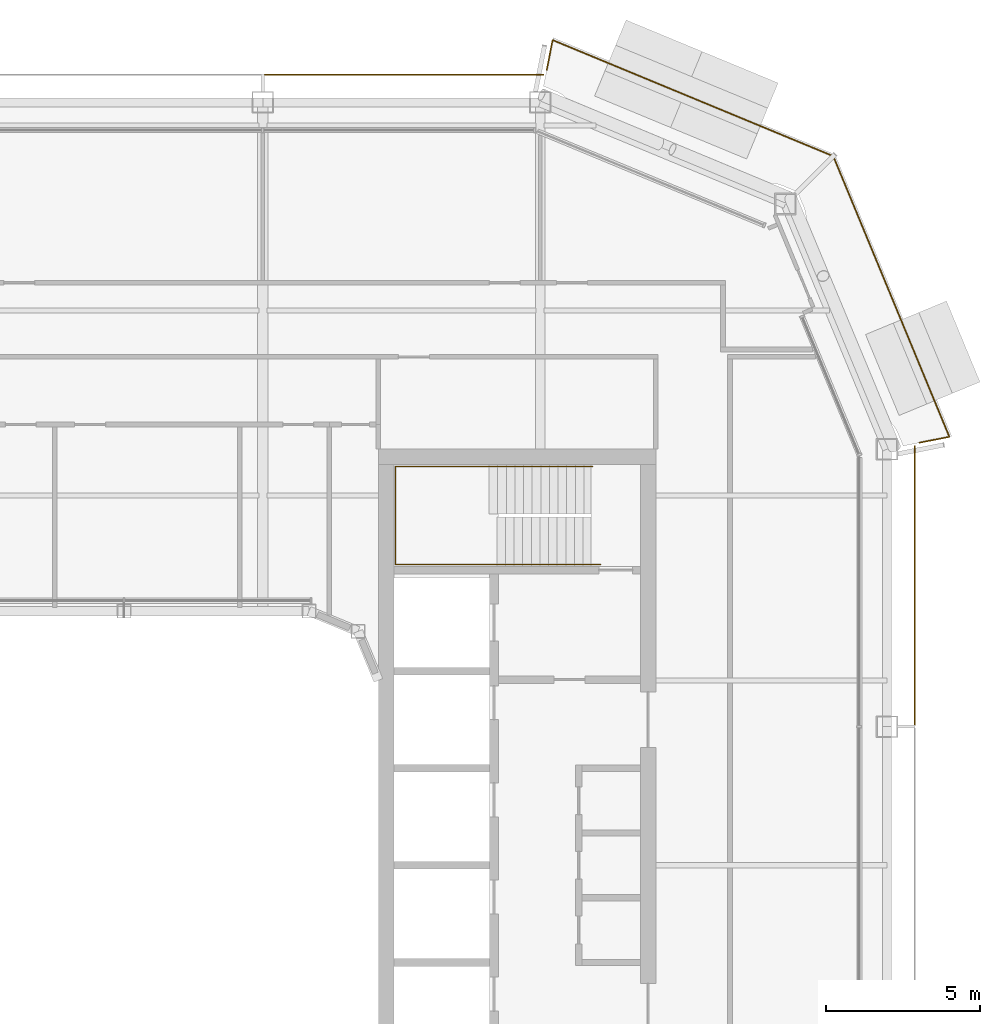
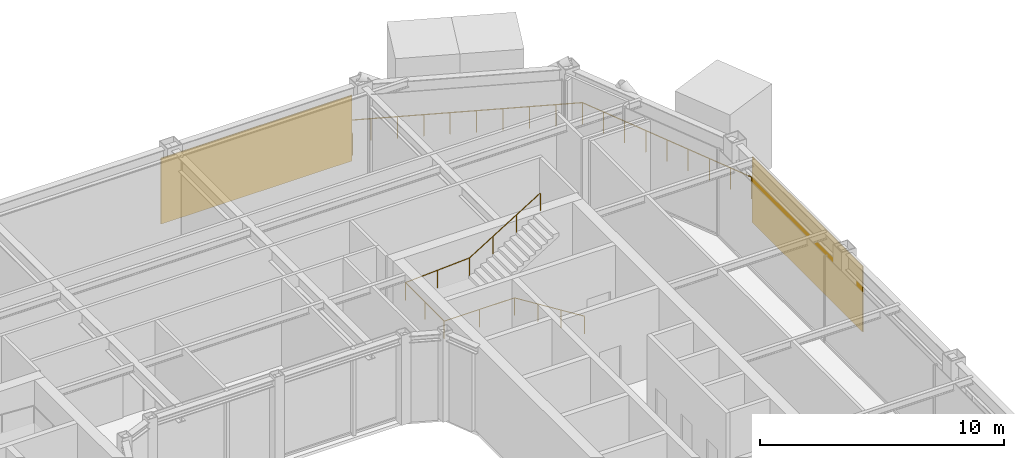
# One storey, part 20 of 21: 2 coverings, 2 railings.
"""IFC4 building model written with IfcOpenShell, lengths in metres."""

from ifc_helpers import new_model, si_unit, direction, frame, origin, origin_2d, place, context, subcontext, project, spatial, rectangle, circle, extrude, material, layer, layer_set, type_object, element, save


model = new_model("IFC4")

# Units and contexts
model_context = context("Model", 3, precision=1e-05, world=origin(), true_north=direction((0.0, 1.0)))
body_context = subcontext(model_context, "Body", "Model", "MODEL_VIEW")
ifc_project = project(units=[si_unit("LENGTHUNIT", "METRE"), si_unit("AREAUNIT", "SQUARE_METRE"), si_unit("VOLUMEUNIT", "CUBIC_METRE"), si_unit("PLANEANGLEUNIT", "RADIAN"), si_unit("MASSUNIT", "GRAM", prefix="KILO")], contexts=[model_context])

# Site, building, storey
site_placement = place(None, origin())
site = spatial("IfcSite", under=ifc_project, at=site_placement, CompositionType="ELEMENT")
building_placement = place(site_placement, origin())
building = spatial("IfcBuilding", under=site, at=building_placement, Name="Siwar Civic Tower", CompositionType="ELEMENT")
storey_placement = place(building_placement, frame((0.0, 0.0, 325.699951171875)))
storey = spatial("IfcBuildingStorey", under=building, at=storey_placement, Name="L70", CompositionType="ELEMENT", Elevation=325.699951171875)

# Railings
ifc_material_1 = material(Name="Stainless steel", Category="steel")
railing_type_1 = type_object("IfcRailingType", Name="CORE-STAIR-HANDRAIL", PredefinedType="HANDRAIL", material=ifc_material_1)
railing_1_placement = place(storey_placement, frame((15.449951171875, 9.758056640625, 0.173095703125)))
element("IfcRailing", 1, at=railing_1_placement, inside=storey, type_object=railing_type_1, Name="Stair handrail ST3", PredefinedType="HANDRAIL", context=body_context, shape_type="SweptSolid", body=[
    extrude(circle(Radius=0.02001953125, at=origin_2d()), frame((0.0, 0.0, 0.8798828125), z_axis=(-0.847063342986, 0.0, 0.531491950051), x_axis=(0.0, -1.0, 0.0)), (0.0, 0.0, 1.0), 3.90771484375),
    extrude(circle(Radius=0.02001953125, at=origin_2d()), frame((-3.31005859375, 0.0, 2.956787109375), z_axis=(-1.0, 0.0, 0.0), x_axis=(0.0, -1.0, 0.0)), (0.0, 0.0, 1.0), 3.331787109375),
    extrude(circle(Radius=0.02001953125, at=origin_2d()), frame((-6.641845703125, 0.0, 2.956787109375), z_axis=(0.0, 1.0, 0.0), x_axis=(-1.0, 0.0, 0.0)), (0.0, 0.0, 1.0), 3.183837890625),
    extrude(circle(Radius=0.02001953125, at=origin_2d()), frame((-6.641845703125, 3.183837890625, 2.956787109375), z_axis=(0.99837434197, 0.0, 0.056997134106), x_axis=(0.0, 1.0, 0.0)), (0.0, 0.0, 1.0), 3.036865234375),
    extrude(circle(Radius=0.02001953125, at=origin_2d()), frame((-3.60986328125, 3.183837890625, 3.1298828125), z_axis=(0.850606129759, 0.0, 0.525803396734), x_axis=(0.0, 1.0, 0.0)), (0.0, 0.0, 1.0), 3.949951171875),
    extrude(circle(Radius=0.02001953125, at=origin_2d()), origin(), (0.0, 0.0, 1.0), 0.85986328125),
    extrude(circle(Radius=0.02001953125, at=origin_2d()), frame((-1.103271484375, 0.0, 0.6923828125)), (0.0, 0.0, 1.0), 0.85986328125),
    extrude(circle(Radius=0.02001953125, at=origin_2d()), frame((-2.206787109375, 0.0, 1.384521484375)), (0.0, 0.0, 1.0), 0.85986328125),
    extrude(circle(Radius=0.02001953125, at=origin_2d()), frame((-3.31005859375, 0.0, 2.076904296875)), (0.0, 0.0, 1.0), 0.85986328125),
    extrude(circle(Radius=0.02001953125, at=origin_2d()), frame((-4.97607421875, 0.0, 2.076904296875)), (0.0, 0.0, 1.0), 0.85986328125),
    extrude(circle(Radius=0.02001953125, at=origin_2d()), frame((-6.641845703125, 0.0, 2.076904296875)), (0.0, 0.0, 1.0), 0.85986328125),
    extrude(circle(Radius=0.02001953125, at=origin_2d()), frame((-6.641845703125, 1.591796875, 2.076904296875)), (0.0, 0.0, 1.0), 0.85986328125),
    extrude(circle(Radius=0.02001953125, at=origin_2d()), frame((-6.641845703125, 3.183837890625, 2.076904296875)), (0.0, 0.0, 1.0), 0.85986328125),
    extrude(circle(Radius=0.02001953125, at=origin_2d()), frame((-5.1259765625, 3.183837890625, 2.16357421875)), (0.0, 0.0, 1.0), 0.85986328125),
    extrude(circle(Radius=0.02001953125, at=origin_2d()), frame((-3.60986328125, 3.183837890625, 2.25)), (0.0, 0.0, 1.0), 0.85986328125),
    extrude(circle(Radius=0.02001953125, at=origin_2d()), frame((-2.489990234375, 3.183837890625, 2.9423828125)), (0.0, 0.0, 1.0), 0.85986328125),
    extrude(circle(Radius=0.02001953125, at=origin_2d()), frame((-1.369873046875, 3.183837890625, 3.634521484375)), (0.0, 0.0, 1.0), 0.85986328125),
    extrude(circle(Radius=0.02001953125, at=origin_2d()), frame((-0.25, 3.183837890625, 4.326904296875)), (0.0, 0.0, 1.0), 0.85986328125),
])
ifc_material_2 = material(Name="Stainless steel 316", Category="steel")
railing_type_2 = type_object("IfcRailingType", Name="ENV-GUARD", PredefinedType="GUARDRAIL", material=ifc_material_2)
railing_2_placement = place(storey_placement, frame((25.797119140625, 13.708251953125, 0.0)))
element("IfcRailing", 2, at=railing_2_placement, inside=storey, type_object=railing_type_2, Name="Balcony guard NE", PredefinedType="GUARDRAIL", context=body_context, shape_type="SweptSolid", body=[
    extrude(circle(Radius=0.02392578125, at=origin_2d()), frame((0.0, 0.0, 1.076171875), z_axis=(0.980778661911, 0.195123592472, 0.0), x_axis=(-0.195123592472, 0.980778661911, 0.0)), (0.0, 0.0, 1.0), 0.993408203125),
    extrude(circle(Radius=0.02392578125, at=origin_2d()), frame((0.974365234375, 0.19384765625, 1.076171875), z_axis=(-0.38225621169, 0.924056377406, 0.0), x_axis=(-0.924056377406, -0.38225621169, 0.0)), (0.0, 0.0, 1.0), 9.851806640625),
    extrude(circle(Radius=0.02392578125, at=origin_2d()), frame((-2.79150390625, 9.29736328125, 1.076171875), z_axis=(-0.924056377406, 0.38225621169, 0.0), x_axis=(-0.38225621169, -0.924056377406, 0.0)), (0.0, 0.0, 1.0), 9.851806640625),
    extrude(circle(Radius=0.02392578125, at=origin_2d()), frame((-11.89501953125, 13.063232421875, 1.076171875), z_axis=(-0.195123592472, -0.980778661911, 0.0), x_axis=(0.980778661911, -0.195123592472, 0.0)), (0.0, 0.0, 1.0), 0.993408203125),
    extrude(circle(Radius=0.02099609375, at=origin_2d()), origin(), (0.0, 0.0, 1.0), 1.052001953125),
    extrude(circle(Radius=0.02099609375, at=origin_2d()), frame((0.974365234375, 0.19384765625, 0.0)), (0.0, 0.0, 1.0), 1.052001953125),
    extrude(circle(Radius=0.02099609375, at=origin_2d()), frame((0.555908203125, 1.205322265625, 0.0)), (0.0, 0.0, 1.0), 1.052001953125),
    extrude(circle(Radius=0.02099609375, at=origin_2d()), frame((0.137451171875, 2.216796875, 0.0)), (0.0, 0.0, 1.0), 1.052001953125),
    extrude(circle(Radius=0.02099609375, at=origin_2d()), frame((-0.281005859375, 3.228271484375, 0.0)), (0.0, 0.0, 1.0), 1.052001953125),
    extrude(circle(Radius=0.02099609375, at=origin_2d()), frame((-0.699462890625, 4.23974609375, 0.0)), (0.0, 0.0, 1.0), 1.052001953125),
    extrude(circle(Radius=0.02099609375, at=origin_2d()), frame((-1.11767578125, 5.25146484375, 0.0)), (0.0, 0.0, 1.0), 1.052001953125),
    extrude(circle(Radius=0.02099609375, at=origin_2d()), frame((-1.5361328125, 6.262939453125, 0.0)), (0.0, 0.0, 1.0), 1.052001953125),
    extrude(circle(Radius=0.02099609375, at=origin_2d()), frame((-1.95458984375, 7.2744140625, 0.0)), (0.0, 0.0, 1.0), 1.052001953125),
    extrude(circle(Radius=0.02099609375, at=origin_2d()), frame((-2.373046875, 8.285888671875, 0.0)), (0.0, 0.0, 1.0), 1.052001953125),
    extrude(circle(Radius=0.02099609375, at=origin_2d()), frame((-2.79150390625, 9.29736328125, 0.0)), (0.0, 0.0, 1.0), 1.052001953125),
    extrude(circle(Radius=0.02099609375, at=origin_2d()), frame((-3.802978515625, 9.7158203125, 0.0)), (0.0, 0.0, 1.0), 1.052001953125),
    extrude(circle(Radius=0.02099609375, at=origin_2d()), frame((-4.814453125, 10.13427734375, 0.0)), (0.0, 0.0, 1.0), 1.052001953125),
    extrude(circle(Radius=0.02099609375, at=origin_2d()), frame((-5.825927734375, 10.552734375, 0.0)), (0.0, 0.0, 1.0), 1.052001953125),
    extrude(circle(Radius=0.02099609375, at=origin_2d()), frame((-6.83740234375, 10.97119140625, 0.0)), (0.0, 0.0, 1.0), 1.052001953125),
    extrude(circle(Radius=0.02099609375, at=origin_2d()), frame((-7.84912109375, 11.389404296875, 0.0)), (0.0, 0.0, 1.0), 1.052001953125),
    extrude(circle(Radius=0.02099609375, at=origin_2d()), frame((-8.860595703125, 11.807861328125, 0.0)), (0.0, 0.0, 1.0), 1.052001953125),
    extrude(circle(Radius=0.02099609375, at=origin_2d()), frame((-9.8720703125, 12.226318359375, 0.0)), (0.0, 0.0, 1.0), 1.052001953125),
    extrude(circle(Radius=0.02099609375, at=origin_2d()), frame((-10.883544921875, 12.644775390625, 0.0)), (0.0, 0.0, 1.0), 1.052001953125),
    extrude(circle(Radius=0.02099609375, at=origin_2d()), frame((-11.89501953125, 13.063232421875, 0.0)), (0.0, 0.0, 1.0), 1.052001953125),
    extrude(circle(Radius=0.02099609375, at=origin_2d()), frame((-12.0888671875, 12.0888671875, 0.0)), (0.0, 0.0, 1.0), 1.052001953125),
])

# Coverings
ifc_material_3 = material(Name="Perforated aluminium cassette, pale metal", Category="aluminium")
ifc_layer = layer(ifc_material_3, 0.0400390625)
ifc_layer_set = layer_set([ifc_layer], Name="Perforated aluminium cassette, pale metal")
covering_type = type_object("IfcCoveringType", Name="ENV-OUTER SKIN OS-1", PredefinedType="CLADDING", material=ifc_layer_set)
for number, where, z_axis, x_axis, name in (
    (3, (25.64990234375, 9.07958984375, -0.14990234375), (0.0, 0.0, 1.0), (0.0, 1.0, 0.0), "OUTER SKIN OS-1 E 3"),
    (4, (9.07958984375, 25.64990234375, -0.14990234375), (0.0, 0.0, 1.0), (-1.0, 0.0, 0.0), "OUTER SKIN OS-1 N 1"),
):
    element("IfcCovering", number, at=place(storey_placement, frame(where, z_axis=z_axis, x_axis=x_axis)), inside=storey, type_object=covering_type, Name=name, PredefinedType="CLADDING", context=body_context, shape_type="SweptSolid", body=[
        extrude(rectangle(XDim=9.05908203125, YDim=0.0400390625, at=origin_2d()), origin(), (0.0, 0.0, 1.0), 3.300048828125),
    ])

save(model, "model.ifc")
